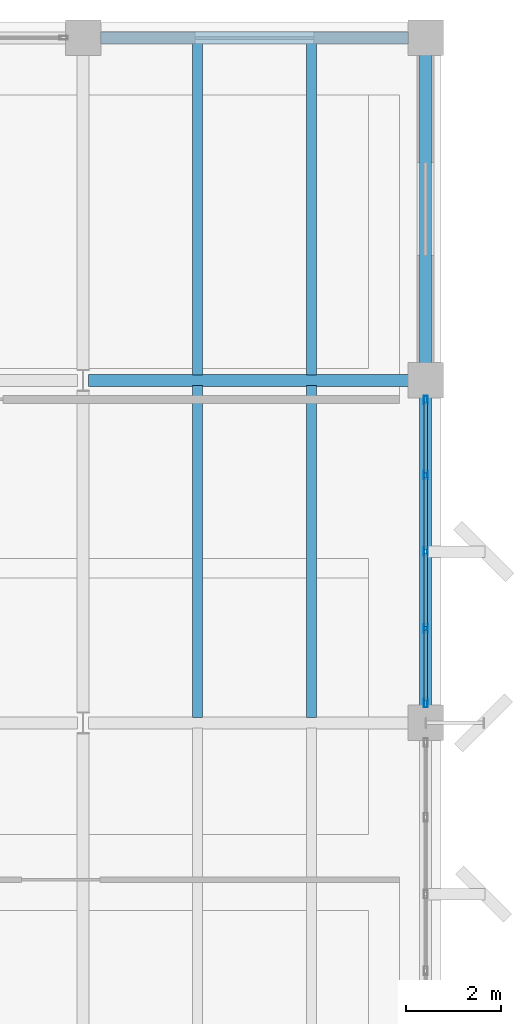
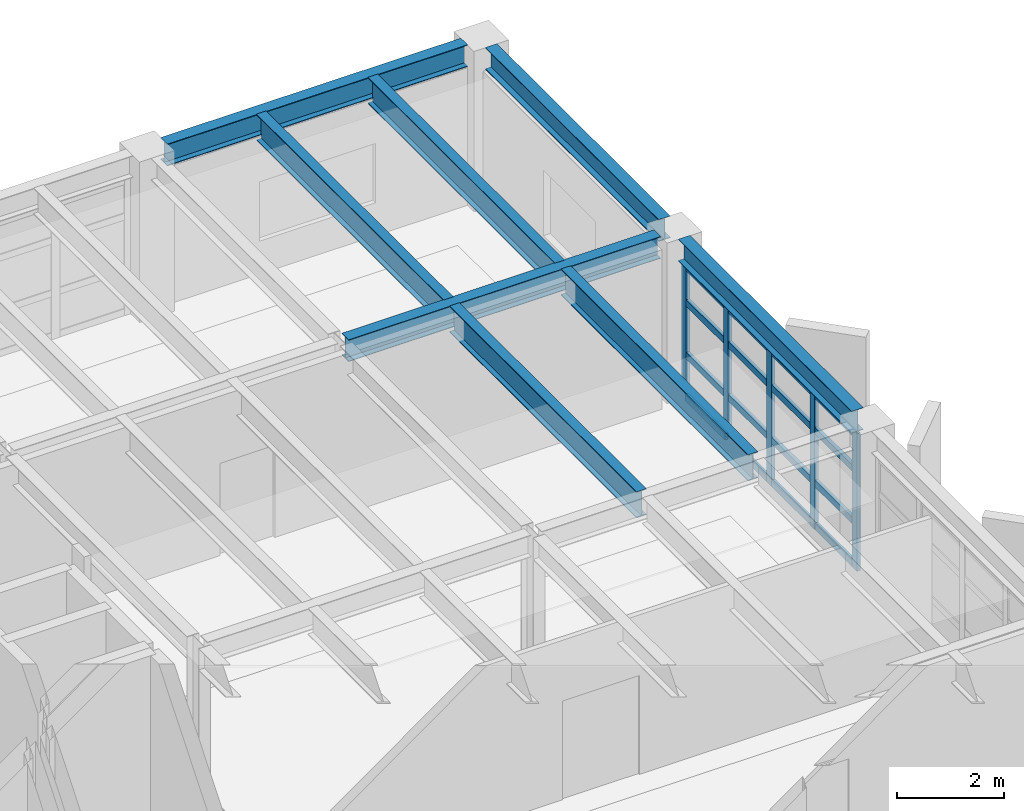
# One storey, part 13 of 24: 21 members, 8 beams, 1 element without a shape of its own.
"""IFC4 building model written with IfcOpenShell, lengths in metres."""

from ifc_helpers import new_model, si_unit, direction, frame, origin, origin_2d, place, context, subcontext, project, spatial, hollow_rectangle, i_section, extrude, material, layer, layer_set, material_profile, profile_set, type_object, element, aggregate, save


model = new_model("IFC4")

# Units and contexts
model_context = context("Model", 3, precision=1e-05, world=origin(), true_north=direction((0.0, 1.0)))
body_context = subcontext(model_context, "Body", "Model", "MODEL_VIEW")
ifc_project = project(units=[si_unit("LENGTHUNIT", "METRE"), si_unit("AREAUNIT", "SQUARE_METRE"), si_unit("VOLUMEUNIT", "CUBIC_METRE"), si_unit("PLANEANGLEUNIT", "RADIAN"), si_unit("MASSUNIT", "GRAM", prefix="KILO")], contexts=[model_context])

# Site, building, storey
site_placement = place(None, origin())
site = spatial("IfcSite", under=ifc_project, at=site_placement, CompositionType="ELEMENT")
building_placement = place(site_placement, origin())
building = spatial("IfcBuilding", under=site, at=building_placement, Name="Kandorven Conservatory and Botanical Research Centre", CompositionType="ELEMENT")
storey_placement = place(building_placement, frame((0.0, 0.0, 24.89990234375)))
storey = spatial("IfcBuildingStorey", under=building, at=storey_placement, Name="L06", CompositionType="ELEMENT", Elevation=24.89990234375)

# Beams
ifc_material_1 = material(Name="Steel S355 (IS 2062 E350)", Category="steel")
ifc_material_profile_1 = material_profile(ifc_material_1, i_section(OverallWidth=0.25, OverallDepth=0.5, WebThickness=0.010009765625, FlangeThickness=0.0146484375, at=origin_2d()))
ifc_profile_set_1 = profile_set([ifc_material_profile_1], Name="Steel S355 (IS 2062 E350)")
beam_type_1 = type_object("IfcBeamType", Name="Beam_FG-02", PredefinedType="USERDEFINED", material=ifc_profile_set_1)
beam_1_placement = place(storey_placement, frame((34.9150390625, 27.60009765625, 3.400146484375), z_axis=(1.0, 0.0, 0.0), x_axis=(0.0, 1.0, 0.0)))
element("IfcBeam", 1, at=beam_1_placement, inside=storey, type_object=beam_type_1, Name="Primary girder FG-02 TWR L06", ObjectType="GIRDER", PredefinedType="USERDEFINED", context=body_context, shape_type="SweptSolid", body=[
    extrude(i_section(OverallWidth=0.25, OverallDepth=0.5, WebThickness=0.010009765625, FlangeThickness=0.0146484375, at=origin_2d()), origin(), (0.0, 0.0, 1.0), 6.719970703125),
])
beam_2_placement = place(storey_placement, frame((35.1650390625, 34.800048828125, 3.400146484375), z_axis=(1.0, 0.0, 0.0), x_axis=(0.0, 1.0, 0.0)))
element("IfcBeam", 2, at=beam_2_placement, inside=storey, type_object=beam_type_1, Name="Primary girder FG-02 TWR L06", ObjectType="GIRDER", PredefinedType="USERDEFINED", context=body_context, shape_type="SweptSolid", body=[
    extrude(i_section(OverallWidth=0.25, OverallDepth=0.5, WebThickness=0.010009765625, FlangeThickness=0.0146484375, at=origin_2d()), origin(), (0.0, 0.0, 1.0), 6.469970703125),
])
beam_3_placement = place(storey_placement, frame((42.0, 20.764892578125, 3.400146484375), z_axis=(0.0, 1.0, 0.0), x_axis=(-1.0, 0.0, 0.0)))
element("IfcBeam", 3, at=beam_3_placement, inside=storey, type_object=beam_type_1, Name="Primary girder FG-02 TWR L06", ObjectType="GIRDER", PredefinedType="USERDEFINED", context=body_context, shape_type="SweptSolid", body=[
    extrude(i_section(OverallWidth=0.25, OverallDepth=0.5, WebThickness=0.010009765625, FlangeThickness=0.0146484375, at=origin_2d()), origin(), (0.0, 0.0, 1.0), 6.47021484375),
])
beam_4_placement = place(storey_placement, frame((42.0, 27.965087890625, 3.400146484375), z_axis=(0.0, 1.0, 0.0), x_axis=(-1.0, 0.0, 0.0)))
element("IfcBeam", 4, at=beam_4_placement, inside=storey, type_object=beam_type_1, Name="Primary girder FG-02 TWR L06", ObjectType="GIRDER", PredefinedType="USERDEFINED", context=body_context, shape_type="SweptSolid", body=[
    extrude(i_section(OverallWidth=0.25, OverallDepth=0.5, WebThickness=0.010009765625, FlangeThickness=0.0146484375, at=origin_2d()), origin(), (0.0, 0.0, 1.0), 6.469970703125),
])
ifc_material_2 = material(Name="Steel S355 (IS 2062 E350)", Category="steel")
ifc_material_profile_2 = material_profile(ifc_material_2, i_section(OverallWidth=0.2099609375, OverallDepth=0.60009765625, WebThickness=0.011962890625, FlangeThickness=0.020751953125, at=origin_2d()))
ifc_profile_set_2 = profile_set([ifc_material_profile_2], Name="Steel S355 (IS 2062 E350)")
beam_type_2 = type_object("IfcBeamType", Name="Beam_SB-01", PredefinedType="BEAM", material=ifc_profile_set_2)
for number, where, z_axis, x_axis, name in (
    (5, (37.199951171875, 20.510009765625, 3.35009765625), (0.0, 1.0, 0.0), (-1.0, 0.0, 0.0), "Composite secondary beam SB-01 TWR L06"),
    (6, (39.60009765625, 20.510009765625, 3.35009765625), (0.0, 1.0, 0.0), (-1.0, 0.0, 0.0), "Composite secondary beam SB-01 TWR L06"),
    (7, (37.199951171875, 27.7099609375, 3.35009765625), (0.0, 1.0, 0.0), (-1.0, 0.0, 0.0), "Composite secondary beam SB-01 TWR L06"),
    (8, (39.60009765625, 27.7099609375, 3.35009765625), (0.0, 1.0, 0.0), (-1.0, 0.0, 0.0), "Composite secondary beam SB-01 TWR L06"),
):
    element("IfcBeam", number, at=place(storey_placement, frame(where, z_axis=z_axis, x_axis=x_axis)), inside=storey, type_object=beam_type_2, Name=name, PredefinedType="BEAM", context=body_context, shape_type="SweptSolid", body=[
        extrude(i_section(OverallWidth=0.2099609375, OverallDepth=0.60009765625, WebThickness=0.011962890625, FlangeThickness=0.020751953125, at=origin_2d()), origin(), (0.0, 0.0, 1.0), 6.97998046875),
    ])

# Curtain wall, members
ifc_material_3 = material(Name="Bronze anodised thermally broken aluminium", Category="aluminium")
ifc_layer = layer(ifc_material_3, 0.179931640625)
ifc_layer_set = layer_set([ifc_layer], Name="Bronze anodised thermally broken aluminium")
curtain_wall_type = type_object("IfcCurtainWallType", Name="CW_Unitised", PredefinedType="USERDEFINED", material=ifc_layer_set)
curtain_wall_placement = place(storey_placement, origin())
curtain_wall = element("IfcCurtainWall", 9, at=curtain_wall_placement, inside=storey, type_object=curtain_wall_type, Name="Tower laboratory curtain wall CW-TWR-E-L06-3", ObjectType="UNITISED GLAZING", PredefinedType="USERDEFINED")
ifc_material_4 = material(Name="Bronze anodised thermally broken aluminium", Category="aluminium")
ifc_material_profile_3 = material_profile(ifc_material_4, hollow_rectangle(XDim=0.080078125, YDim=0.179931640625, WallThickness=0.006103515625, at=origin_2d()))
ifc_profile_set_3 = profile_set([ifc_material_profile_3], Name="Bronze anodised thermally broken aluminium")
member_type_1 = type_object("IfcMemberType", Name="CW_Mullion", PredefinedType="MULLION", material=ifc_profile_set_3)
member_1_placement = place(storey_placement, frame((42.0, 20.81494140625, 0.0), z_axis=(0.0, 0.0, 1.0), x_axis=(-1.0, 0.0, 0.0)))
member_1 = element("IfcMember", 10, at=member_1_placement, type_object=member_type_1, Name="CW-01 mullion 1", PredefinedType="MULLION", context=body_context, shape_type="SweptSolid", body=[
    extrude(hollow_rectangle(XDim=0.080078125, YDim=0.179931640625, WallThickness=0.006103515625, at=origin_2d()), origin(), (0.0, 0.0, 1.0), 3.130126953125),
])
member_2_placement = place(storey_placement, frame((42.0, 22.387451171875, 0.0), z_axis=(0.0, 0.0, 1.0), x_axis=(-1.0, 0.0, 0.0)))
member_2 = element("IfcMember", 11, at=member_2_placement, type_object=member_type_1, Name="CW-01 mullion 2", PredefinedType="MULLION", context=body_context, shape_type="SweptSolid", body=[
    extrude(hollow_rectangle(XDim=0.080078125, YDim=0.179931640625, WallThickness=0.006103515625, at=origin_2d()), origin(), (0.0, 0.0, 1.0), 3.130126953125),
])
member_3_placement = place(storey_placement, frame((42.0, 24.0, 0.0), z_axis=(0.0, 0.0, 1.0), x_axis=(-1.0, 0.0, 0.0)))
member_3 = element("IfcMember", 12, at=member_3_placement, type_object=member_type_1, Name="CW-01 mullion 3", PredefinedType="MULLION", context=body_context, shape_type="SweptSolid", body=[
    extrude(hollow_rectangle(XDim=0.080078125, YDim=0.179931640625, WallThickness=0.006103515625, at=origin_2d()), origin(), (0.0, 0.0, 1.0), 3.130126953125),
])
member_4_placement = place(storey_placement, frame((42.0, 25.612548828125, 0.0), z_axis=(0.0, 0.0, 1.0), x_axis=(-1.0, 0.0, 0.0)))
member_4 = element("IfcMember", 13, at=member_4_placement, type_object=member_type_1, Name="CW-01 mullion 4", PredefinedType="MULLION", context=body_context, shape_type="SweptSolid", body=[
    extrude(hollow_rectangle(XDim=0.080078125, YDim=0.179931640625, WallThickness=0.006103515625, at=origin_2d()), origin(), (0.0, 0.0, 1.0), 3.130126953125),
])
member_5_placement = place(storey_placement, frame((42.0, 27.18505859375, 0.0), z_axis=(0.0, 0.0, 1.0), x_axis=(-1.0, 0.0, 0.0)))
member_5 = element("IfcMember", 14, at=member_5_placement, type_object=member_type_1, Name="CW-01 mullion 5", PredefinedType="MULLION", context=body_context, shape_type="SweptSolid", body=[
    extrude(hollow_rectangle(XDim=0.080078125, YDim=0.179931640625, WallThickness=0.006103515625, at=origin_2d()), origin(), (0.0, 0.0, 1.0), 3.130126953125),
])
ifc_material_5 = material(Name="Bronze anodised thermally broken aluminium", Category="aluminium")
ifc_material_profile_4 = material_profile(ifc_material_5, hollow_rectangle(XDim=0.074951171875, YDim=0.14990234375, WallThickness=0.006103515625, at=origin_2d()))
ifc_profile_set_4 = profile_set([ifc_material_profile_4], Name="Bronze anodised thermally broken aluminium")
member_type_2 = type_object("IfcMemberType", Name="CW_Transom", PredefinedType="USERDEFINED", material=ifc_profile_set_4)
member_6_placement = place(storey_placement, frame((42.0, 20.85498046875, 0.0751953125), z_axis=(0.0, 1.0, 0.0), x_axis=(-1.0, 0.0, 0.0)))
member_6 = element("IfcMember", 15, at=member_6_placement, type_object=member_type_2, Name="CW-01 transom 1.1", ObjectType="TRANSOM", PredefinedType="USERDEFINED", context=body_context, shape_type="SweptSolid", body=[
    extrude(hollow_rectangle(XDim=0.074951171875, YDim=0.14990234375, WallThickness=0.006103515625, at=origin_2d()), origin(), (0.0, 0.0, 1.0), 1.492431640625),
])
member_7_placement = place(storey_placement, frame((42.0, 20.85498046875, 1.050048828125), z_axis=(0.0, 1.0, 0.0), x_axis=(-1.0, 0.0, 0.0)))
member_7 = element("IfcMember", 16, at=member_7_placement, type_object=member_type_2, Name="CW-01 transom 1.2", ObjectType="TRANSOM", PredefinedType="USERDEFINED", context=body_context, shape_type="SweptSolid", body=[
    extrude(hollow_rectangle(XDim=0.074951171875, YDim=0.14990234375, WallThickness=0.006103515625, at=origin_2d()), origin(), (0.0, 0.0, 1.0), 1.492431640625),
])
member_8_placement = place(storey_placement, frame((42.0, 20.85498046875, 2.25), z_axis=(0.0, 1.0, 0.0), x_axis=(-1.0, 0.0, 0.0)))
member_8 = element("IfcMember", 17, at=member_8_placement, type_object=member_type_2, Name="CW-01 transom 1.3", ObjectType="TRANSOM", PredefinedType="USERDEFINED", context=body_context, shape_type="SweptSolid", body=[
    extrude(hollow_rectangle(XDim=0.074951171875, YDim=0.14990234375, WallThickness=0.006103515625, at=origin_2d()), origin(), (0.0, 0.0, 1.0), 1.492431640625),
])
member_9_placement = place(storey_placement, frame((42.0, 20.85498046875, 3.05517578125), z_axis=(0.0, 1.0, 0.0), x_axis=(-1.0, 0.0, 0.0)))
member_9 = element("IfcMember", 18, at=member_9_placement, type_object=member_type_2, Name="CW-01 transom 1.4", ObjectType="TRANSOM", PredefinedType="USERDEFINED", context=body_context, shape_type="SweptSolid", body=[
    extrude(hollow_rectangle(XDim=0.074951171875, YDim=0.14990234375, WallThickness=0.006103515625, at=origin_2d()), origin(), (0.0, 0.0, 1.0), 1.492431640625),
])
member_10_placement = place(storey_placement, frame((42.0, 22.427490234375, 0.0751953125), z_axis=(0.0, 1.0, 0.0), x_axis=(-1.0, 0.0, 0.0)))
member_10 = element("IfcMember", 19, at=member_10_placement, type_object=member_type_2, Name="CW-01 transom 2.1", ObjectType="TRANSOM", PredefinedType="USERDEFINED", context=body_context, shape_type="SweptSolid", body=[
    extrude(hollow_rectangle(XDim=0.074951171875, YDim=0.14990234375, WallThickness=0.006103515625, at=origin_2d()), origin(), (0.0, 0.0, 1.0), 1.532470703125),
])
member_11_placement = place(storey_placement, frame((42.0, 22.427490234375, 1.050048828125), z_axis=(0.0, 1.0, 0.0), x_axis=(-1.0, 0.0, 0.0)))
member_11 = element("IfcMember", 20, at=member_11_placement, type_object=member_type_2, Name="CW-01 transom 2.2", ObjectType="TRANSOM", PredefinedType="USERDEFINED", context=body_context, shape_type="SweptSolid", body=[
    extrude(hollow_rectangle(XDim=0.074951171875, YDim=0.14990234375, WallThickness=0.006103515625, at=origin_2d()), origin(), (0.0, 0.0, 1.0), 1.532470703125),
])
member_12_placement = place(storey_placement, frame((42.0, 22.427490234375, 2.25), z_axis=(0.0, 1.0, 0.0), x_axis=(-1.0, 0.0, 0.0)))
member_12 = element("IfcMember", 21, at=member_12_placement, type_object=member_type_2, Name="CW-01 transom 2.3", ObjectType="TRANSOM", PredefinedType="USERDEFINED", context=body_context, shape_type="SweptSolid", body=[
    extrude(hollow_rectangle(XDim=0.074951171875, YDim=0.14990234375, WallThickness=0.006103515625, at=origin_2d()), origin(), (0.0, 0.0, 1.0), 1.532470703125),
])
member_13_placement = place(storey_placement, frame((42.0, 22.427490234375, 3.05517578125), z_axis=(0.0, 1.0, 0.0), x_axis=(-1.0, 0.0, 0.0)))
member_13 = element("IfcMember", 22, at=member_13_placement, type_object=member_type_2, Name="CW-01 transom 2.4", ObjectType="TRANSOM", PredefinedType="USERDEFINED", context=body_context, shape_type="SweptSolid", body=[
    extrude(hollow_rectangle(XDim=0.074951171875, YDim=0.14990234375, WallThickness=0.006103515625, at=origin_2d()), origin(), (0.0, 0.0, 1.0), 1.532470703125),
])
member_14_placement = place(storey_placement, frame((42.0, 24.0400390625, 0.0751953125), z_axis=(0.0, 1.0, 0.0), x_axis=(-1.0, 0.0, 0.0)))
member_14 = element("IfcMember", 23, at=member_14_placement, type_object=member_type_2, Name="CW-01 transom 3.1", ObjectType="TRANSOM", PredefinedType="USERDEFINED", context=body_context, shape_type="SweptSolid", body=[
    extrude(hollow_rectangle(XDim=0.074951171875, YDim=0.14990234375, WallThickness=0.006103515625, at=origin_2d()), origin(), (0.0, 0.0, 1.0), 1.532470703125),
])
member_15_placement = place(storey_placement, frame((42.0, 24.0400390625, 1.050048828125), z_axis=(0.0, 1.0, 0.0), x_axis=(-1.0, 0.0, 0.0)))
member_15 = element("IfcMember", 24, at=member_15_placement, type_object=member_type_2, Name="CW-01 transom 3.2", ObjectType="TRANSOM", PredefinedType="USERDEFINED", context=body_context, shape_type="SweptSolid", body=[
    extrude(hollow_rectangle(XDim=0.074951171875, YDim=0.14990234375, WallThickness=0.006103515625, at=origin_2d()), origin(), (0.0, 0.0, 1.0), 1.532470703125),
])
member_16_placement = place(storey_placement, frame((42.0, 24.0400390625, 2.25), z_axis=(0.0, 1.0, 0.0), x_axis=(-1.0, 0.0, 0.0)))
member_16 = element("IfcMember", 25, at=member_16_placement, type_object=member_type_2, Name="CW-01 transom 3.3", ObjectType="TRANSOM", PredefinedType="USERDEFINED", context=body_context, shape_type="SweptSolid", body=[
    extrude(hollow_rectangle(XDim=0.074951171875, YDim=0.14990234375, WallThickness=0.006103515625, at=origin_2d()), origin(), (0.0, 0.0, 1.0), 1.532470703125),
])
member_17_placement = place(storey_placement, frame((42.0, 24.0400390625, 3.05517578125), z_axis=(0.0, 1.0, 0.0), x_axis=(-1.0, 0.0, 0.0)))
member_17 = element("IfcMember", 26, at=member_17_placement, type_object=member_type_2, Name="CW-01 transom 3.4", ObjectType="TRANSOM", PredefinedType="USERDEFINED", context=body_context, shape_type="SweptSolid", body=[
    extrude(hollow_rectangle(XDim=0.074951171875, YDim=0.14990234375, WallThickness=0.006103515625, at=origin_2d()), origin(), (0.0, 0.0, 1.0), 1.532470703125),
])
member_18_placement = place(storey_placement, frame((42.0, 25.652587890625, 0.0751953125), z_axis=(0.0, 1.0, 0.0), x_axis=(-1.0, 0.0, 0.0)))
member_18 = element("IfcMember", 27, at=member_18_placement, type_object=member_type_2, Name="CW-01 transom 4.1", ObjectType="TRANSOM", PredefinedType="USERDEFINED", context=body_context, shape_type="SweptSolid", body=[
    extrude(hollow_rectangle(XDim=0.074951171875, YDim=0.14990234375, WallThickness=0.006103515625, at=origin_2d()), origin(), (0.0, 0.0, 1.0), 1.492431640625),
])
member_19_placement = place(storey_placement, frame((42.0, 25.652587890625, 1.050048828125), z_axis=(0.0, 1.0, 0.0), x_axis=(-1.0, 0.0, 0.0)))
member_19 = element("IfcMember", 28, at=member_19_placement, type_object=member_type_2, Name="CW-01 transom 4.2", ObjectType="TRANSOM", PredefinedType="USERDEFINED", context=body_context, shape_type="SweptSolid", body=[
    extrude(hollow_rectangle(XDim=0.074951171875, YDim=0.14990234375, WallThickness=0.006103515625, at=origin_2d()), origin(), (0.0, 0.0, 1.0), 1.492431640625),
])
member_20_placement = place(storey_placement, frame((42.0, 25.652587890625, 2.25), z_axis=(0.0, 1.0, 0.0), x_axis=(-1.0, 0.0, 0.0)))
member_20 = element("IfcMember", 29, at=member_20_placement, type_object=member_type_2, Name="CW-01 transom 4.3", ObjectType="TRANSOM", PredefinedType="USERDEFINED", context=body_context, shape_type="SweptSolid", body=[
    extrude(hollow_rectangle(XDim=0.074951171875, YDim=0.14990234375, WallThickness=0.006103515625, at=origin_2d()), origin(), (0.0, 0.0, 1.0), 1.492431640625),
])
member_21_placement = place(storey_placement, frame((42.0, 25.652587890625, 3.05517578125), z_axis=(0.0, 1.0, 0.0), x_axis=(-1.0, 0.0, 0.0)))
member_21 = element("IfcMember", 30, at=member_21_placement, type_object=member_type_2, Name="CW-01 transom 4.4", ObjectType="TRANSOM", PredefinedType="USERDEFINED", context=body_context, shape_type="SweptSolid", body=[
    extrude(hollow_rectangle(XDim=0.074951171875, YDim=0.14990234375, WallThickness=0.006103515625, at=origin_2d()), origin(), (0.0, 0.0, 1.0), 1.492431640625),
])
aggregate(curtain_wall, [member_1, member_2, member_3, member_4, member_5, member_6, member_7, member_8, member_9, member_10, member_11, member_12, member_13, member_14, member_15, member_16, member_17, member_18, member_19, member_20, member_21])

save(model, "model.ifc")
